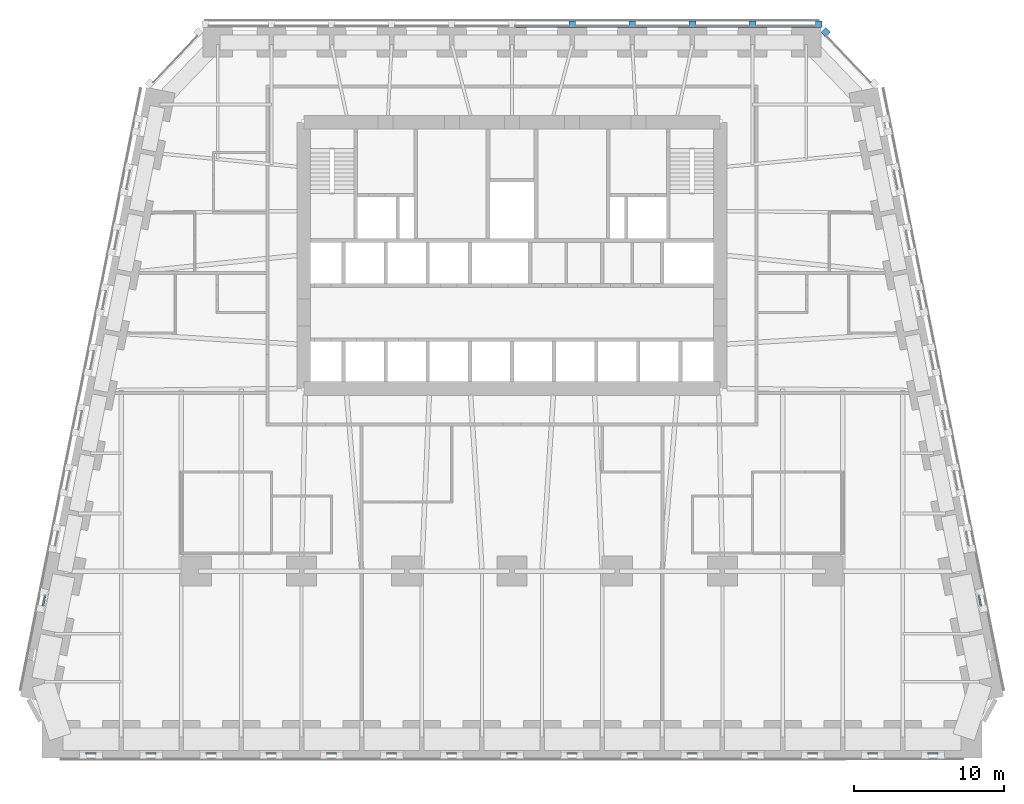
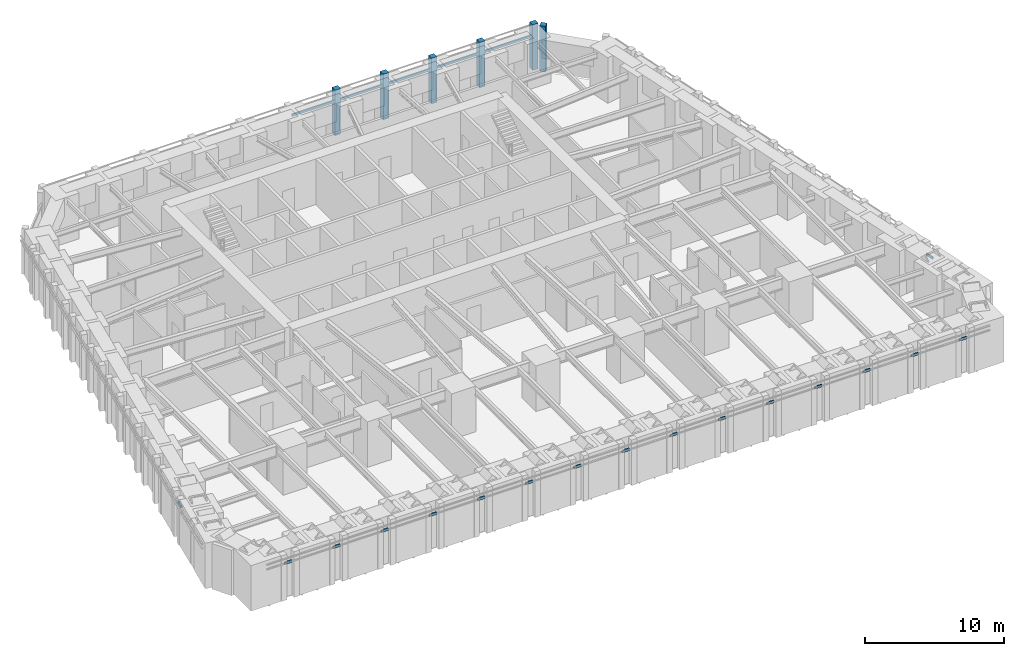
# One storey, part 5 of 16: 28 members, 19 elements without a shape of their own.
"""IFC4 building model written with IfcOpenShell, lengths in metres."""

from ifc_helpers import new_model, si_unit, direction, frame, origin, origin_2d, place, context, subcontext, project, spatial, rectangle, extrude, material, material_profile, profile_set, type_object, element, aggregate, save


model = new_model("IFC4")

# Units and contexts
model_context = context("Model", 3, precision=1e-05, world=origin(), true_north=direction((0.0, 1.0)))
body_context = subcontext(model_context, "Body", "Model", "MODEL_VIEW")
ifc_project = project(units=[si_unit("LENGTHUNIT", "METRE"), si_unit("AREAUNIT", "SQUARE_METRE"), si_unit("VOLUMEUNIT", "CUBIC_METRE"), si_unit("PLANEANGLEUNIT", "RADIAN"), si_unit("MASSUNIT", "GRAM", prefix="KILO")], contexts=[model_context])

# Site, building, storey
site_placement = place(None, origin())
site = spatial("IfcSite", under=ifc_project, at=site_placement, CompositionType="ELEMENT")
building_placement = place(site_placement, origin())
building = spatial("IfcBuilding", under=site, at=building_placement, Name="Isbrekke Arena Tower", CompositionType="ELEMENT")
storey_placement = place(building_placement, frame((0.0, 0.0, 44.0)))
storey = spatial("IfcBuildingStorey", under=building, at=storey_placement, Name="L08", CompositionType="ELEMENT", Elevation=44.0)

# Curtain wall, member
ifc_material_1 = material(Name="Glazed aluminium curtain wall", Category="aluminium")
curtain_wall_type = type_object("IfcCurtainWallType", Name="CWL TOWER CURTAIN WALL LOW ZONE", PredefinedType="USERDEFINED", material=ifc_material_1)
curtain_wall_1_placement = place(storey_placement, origin())
curtain_wall_1 = element("IfcCurtainWall", 1, at=curtain_wall_1_placement, inside=storey, type_object=curtain_wall_type, Name="CWL curtain wall L08-EN", ObjectType="TOWER CURTAIN WALL LOW ZONE", PredefinedType="USERDEFINED")
ifc_material_2 = material(Name="Aluminium mullion, pale brick slip cladding", Category="masonry")
ifc_material_profile_1 = material_profile(ifc_material_2, rectangle(XDim=0.449951171875, YDim=0.449951171875, at=origin_2d()), Name="PIER 450X450")
ifc_profile_set_1 = profile_set([ifc_material_profile_1], Name="Aluminium mullion, pale brick slip cladding")
member_type_1 = type_object("IfcMemberType", Name="CWL-M PIER MULLION 450 x 450", PredefinedType="MULLION", material=ifc_profile_set_1)
member_1_placement = place(storey_placement, frame((20.86572265625, 29.83642578125, 0.0), z_axis=(0.0, 0.0, 1.0), x_axis=(-0.68874946192, 0.72499943359, 0.0)))
member_1 = element("IfcMember", 2, at=member_1_placement, type_object=member_type_1, Name="CWL-M mullion 2", PredefinedType="MULLION", context=body_context, shape_type="SweptSolid", body=[
    extrude(rectangle(XDim=0.449951171875, YDim=0.449951171875, at=origin_2d()), origin(), (0.0, 0.0, 1.0), 4.0),
])
aggregate(curtain_wall_1, [member_1])

# Curtain wall, members
curtain_wall_2_placement = place(storey_placement, origin())
curtain_wall_2 = element("IfcCurtainWall", 3, at=curtain_wall_2_placement, inside=storey, type_object=curtain_wall_type, Name="CWL curtain wall L08-N", ObjectType="TOWER CURTAIN WALL LOW ZONE", PredefinedType="USERDEFINED")
member_2_placement = place(storey_placement, frame((20.39990234375, 30.375, 0.0), z_axis=(0.0, 0.0, 1.0), x_axis=(-1.0, 0.0, 0.0)))
member_2 = element("IfcMember", 4, at=member_2_placement, type_object=member_type_1, Name="CWL-M mullion 1", PredefinedType="MULLION", context=body_context, shape_type="SweptSolid", body=[
    extrude(rectangle(XDim=0.449951171875, YDim=0.449951171875, at=origin_2d()), origin(), (0.0, 0.0, 1.0), 4.0),
])
member_3_placement = place(storey_placement, frame((16.0, 30.375, 0.0), z_axis=(0.0, 0.0, 1.0), x_axis=(-1.0, 0.0, 0.0)))
member_3 = element("IfcMember", 5, at=member_3_placement, type_object=member_type_1, Name="CWL-M mullion 2", PredefinedType="MULLION", context=body_context, shape_type="SweptSolid", body=[
    extrude(rectangle(XDim=0.449951171875, YDim=0.449951171875, at=origin_2d()), origin(), (0.0, 0.0, 1.0), 4.0),
])
member_4_placement = place(storey_placement, frame((12.0, 30.375, 0.0), z_axis=(0.0, 0.0, 1.0), x_axis=(-1.0, 0.0, 0.0)))
member_4 = element("IfcMember", 6, at=member_4_placement, type_object=member_type_1, Name="CWL-M mullion 3", PredefinedType="MULLION", context=body_context, shape_type="SweptSolid", body=[
    extrude(rectangle(XDim=0.449951171875, YDim=0.449951171875, at=origin_2d()), origin(), (0.0, 0.0, 1.0), 4.0),
])
member_5_placement = place(storey_placement, frame((8.0, 30.375, 0.0), z_axis=(0.0, 0.0, 1.0), x_axis=(-1.0, 0.0, 0.0)))
member_5 = element("IfcMember", 7, at=member_5_placement, type_object=member_type_1, Name="CWL-M mullion 4", PredefinedType="MULLION", context=body_context, shape_type="SweptSolid", body=[
    extrude(rectangle(XDim=0.449951171875, YDim=0.449951171875, at=origin_2d()), origin(), (0.0, 0.0, 1.0), 4.0),
])
member_6_placement = place(storey_placement, frame((4.0, 30.375, 0.0), z_axis=(0.0, 0.0, 1.0), x_axis=(-1.0, 0.0, 0.0)))
member_6 = element("IfcMember", 8, at=member_6_placement, type_object=member_type_1, Name="CWL-M mullion 5", PredefinedType="MULLION", context=body_context, shape_type="SweptSolid", body=[
    extrude(rectangle(XDim=0.449951171875, YDim=0.449951171875, at=origin_2d()), origin(), (0.0, 0.0, 1.0), 4.0),
])

# Curtain wall, member
curtain_wall_3_placement = place(storey_placement, origin())
curtain_wall_3 = element("IfcCurtainWall", 9, at=curtain_wall_3_placement, inside=storey, type_object=curtain_wall_type, Name="CWL curtain wall L08-S", ObjectType="TOWER CURTAIN WALL LOW ZONE", PredefinedType="USERDEFINED")
ifc_material_3 = material(Name="Aluminium transom", Category="aluminium")
ifc_material_profile_2 = material_profile(ifc_material_3, rectangle(XDim=0.1201171875, YDim=0.199951171875, at=origin_2d()), Name="TRANSOM 120X200")
ifc_profile_set_2 = profile_set([ifc_material_profile_2], Name="Aluminium transom")
member_type_2 = type_object("IfcMemberType", Name="CWL-T TRANSOM 120 x 200", PredefinedType="USERDEFINED", material=ifc_profile_set_2)
member_7_placement = place(storey_placement, frame((-28.302001953125, -18.125, 3.0), z_axis=(1.0, 0.0, 0.0), x_axis=(0.0, 1.0, 0.0)))
member_7 = element("IfcMember", 10, at=member_7_placement, type_object=member_type_2, Name="CWL-T transom 1", ObjectType="TRANSOM", PredefinedType="USERDEFINED", context=body_context, shape_type="SweptSolid", body=[
    extrude(rectangle(XDim=0.1201171875, YDim=0.199951171875, at=origin_2d()), origin(), (0.0, 0.0, 1.0), 0.60205078125),
])
aggregate(curtain_wall_3, [member_7])

curtain_wall_4_placement = place(storey_placement, origin())
curtain_wall_4 = element("IfcCurtainWall", 11, at=curtain_wall_4_placement, inside=storey, type_object=curtain_wall_type, Name="CWL curtain wall L08-S3", ObjectType="TOWER CURTAIN WALL LOW ZONE", PredefinedType="USERDEFINED")
member_8_placement = place(storey_placement, frame((-24.300048828125, -18.125, 3.0), z_axis=(1.0, 0.0, 0.0), x_axis=(0.0, 1.0, 0.0)))
member_8 = element("IfcMember", 12, at=member_8_placement, type_object=member_type_2, Name="CWL-T transom 1", ObjectType="TRANSOM", PredefinedType="USERDEFINED", context=body_context, shape_type="SweptSolid", body=[
    extrude(rectangle(XDim=0.1201171875, YDim=0.199951171875, at=origin_2d()), origin(), (0.0, 0.0, 1.0), 0.60009765625),
])
aggregate(curtain_wall_4, [member_8])

curtain_wall_5_placement = place(storey_placement, origin())
curtain_wall_5 = element("IfcCurtainWall", 13, at=curtain_wall_5_placement, inside=storey, type_object=curtain_wall_type, Name="CWL curtain wall L08-S5", ObjectType="TOWER CURTAIN WALL LOW ZONE", PredefinedType="USERDEFINED")
member_9_placement = place(storey_placement, frame((-20.300048828125, -18.125, 3.0), z_axis=(1.0, 0.0, 0.0), x_axis=(0.0, 1.0, 0.0)))
member_9 = element("IfcMember", 14, at=member_9_placement, type_object=member_type_2, Name="CWL-T transom 1", ObjectType="TRANSOM", PredefinedType="USERDEFINED", context=body_context, shape_type="SweptSolid", body=[
    extrude(rectangle(XDim=0.1201171875, YDim=0.199951171875, at=origin_2d()), origin(), (0.0, 0.0, 1.0), 0.60009765625),
])
aggregate(curtain_wall_5, [member_9])

curtain_wall_6_placement = place(storey_placement, origin())
curtain_wall_6 = element("IfcCurtainWall", 15, at=curtain_wall_6_placement, inside=storey, type_object=curtain_wall_type, Name="CWL curtain wall L08-S7", ObjectType="TOWER CURTAIN WALL LOW ZONE", PredefinedType="USERDEFINED")
member_10_placement = place(storey_placement, frame((-16.300048828125, -18.125, 3.0), z_axis=(1.0, 0.0, 0.0), x_axis=(0.0, 1.0, 0.0)))
member_10 = element("IfcMember", 16, at=member_10_placement, type_object=member_type_2, Name="CWL-T transom 1", ObjectType="TRANSOM", PredefinedType="USERDEFINED", context=body_context, shape_type="SweptSolid", body=[
    extrude(rectangle(XDim=0.1201171875, YDim=0.199951171875, at=origin_2d()), origin(), (0.0, 0.0, 1.0), 0.60009765625),
])
aggregate(curtain_wall_6, [member_10])

curtain_wall_7_placement = place(storey_placement, origin())
curtain_wall_7 = element("IfcCurtainWall", 17, at=curtain_wall_7_placement, inside=storey, type_object=curtain_wall_type, Name="CWL curtain wall L08-S9", ObjectType="TOWER CURTAIN WALL LOW ZONE", PredefinedType="USERDEFINED")
member_11_placement = place(storey_placement, frame((-12.300048828125, -18.125, 3.0), z_axis=(1.0, 0.0, 0.0), x_axis=(0.0, 1.0, 0.0)))
member_11 = element("IfcMember", 18, at=member_11_placement, type_object=member_type_2, Name="CWL-T transom 1", ObjectType="TRANSOM", PredefinedType="USERDEFINED", context=body_context, shape_type="SweptSolid", body=[
    extrude(rectangle(XDim=0.1201171875, YDim=0.199951171875, at=origin_2d()), origin(), (0.0, 0.0, 1.0), 0.60009765625),
])
aggregate(curtain_wall_7, [member_11])

curtain_wall_8_placement = place(storey_placement, origin())
curtain_wall_8 = element("IfcCurtainWall", 19, at=curtain_wall_8_placement, inside=storey, type_object=curtain_wall_type, Name="CWL curtain wall L08-S11", ObjectType="TOWER CURTAIN WALL LOW ZONE", PredefinedType="USERDEFINED")
member_12_placement = place(storey_placement, frame((-8.300048828125, -18.125, 3.0), z_axis=(1.0, 0.0, 0.0), x_axis=(0.0, 1.0, 0.0)))
member_12 = element("IfcMember", 20, at=member_12_placement, type_object=member_type_2, Name="CWL-T transom 1", ObjectType="TRANSOM", PredefinedType="USERDEFINED", context=body_context, shape_type="SweptSolid", body=[
    extrude(rectangle(XDim=0.1201171875, YDim=0.199951171875, at=origin_2d()), origin(), (0.0, 0.0, 1.0), 0.60009765625),
])
aggregate(curtain_wall_8, [member_12])

curtain_wall_9_placement = place(storey_placement, origin())
curtain_wall_9 = element("IfcCurtainWall", 21, at=curtain_wall_9_placement, inside=storey, type_object=curtain_wall_type, Name="CWL curtain wall L08-S13", ObjectType="TOWER CURTAIN WALL LOW ZONE", PredefinedType="USERDEFINED")
member_13_placement = place(storey_placement, frame((-4.300048828125, -18.125, 3.0), z_axis=(1.0, 0.0, 0.0), x_axis=(0.0, 1.0, 0.0)))
member_13 = element("IfcMember", 22, at=member_13_placement, type_object=member_type_2, Name="CWL-T transom 1", ObjectType="TRANSOM", PredefinedType="USERDEFINED", context=body_context, shape_type="SweptSolid", body=[
    extrude(rectangle(XDim=0.1201171875, YDim=0.199951171875, at=origin_2d()), origin(), (0.0, 0.0, 1.0), 0.60009765625),
])
aggregate(curtain_wall_9, [member_13])

curtain_wall_10_placement = place(storey_placement, origin())
curtain_wall_10 = element("IfcCurtainWall", 23, at=curtain_wall_10_placement, inside=storey, type_object=curtain_wall_type, Name="CWL curtain wall L08-S15", ObjectType="TOWER CURTAIN WALL LOW ZONE", PredefinedType="USERDEFINED")
member_14_placement = place(storey_placement, frame((-0.300048828125, -18.125, 3.0), z_axis=(1.0, 0.0, 0.0), x_axis=(0.0, 1.0, 0.0)))
member_14 = element("IfcMember", 24, at=member_14_placement, type_object=member_type_2, Name="CWL-T transom 1", ObjectType="TRANSOM", PredefinedType="USERDEFINED", context=body_context, shape_type="SweptSolid", body=[
    extrude(rectangle(XDim=0.1201171875, YDim=0.199951171875, at=origin_2d()), origin(), (0.0, 0.0, 1.0), 0.60009765625),
])
aggregate(curtain_wall_10, [member_14])

curtain_wall_11_placement = place(storey_placement, origin())
curtain_wall_11 = element("IfcCurtainWall", 25, at=curtain_wall_11_placement, inside=storey, type_object=curtain_wall_type, Name="CWL curtain wall L08-S17", ObjectType="TOWER CURTAIN WALL LOW ZONE", PredefinedType="USERDEFINED")
member_15_placement = place(storey_placement, frame((3.699951171875, -18.125, 3.0), z_axis=(1.0, 0.0, 0.0), x_axis=(0.0, 1.0, 0.0)))
member_15 = element("IfcMember", 26, at=member_15_placement, type_object=member_type_2, Name="CWL-T transom 1", ObjectType="TRANSOM", PredefinedType="USERDEFINED", context=body_context, shape_type="SweptSolid", body=[
    extrude(rectangle(XDim=0.1201171875, YDim=0.199951171875, at=origin_2d()), origin(), (0.0, 0.0, 1.0), 0.60009765625),
])
aggregate(curtain_wall_11, [member_15])

curtain_wall_12_placement = place(storey_placement, origin())
curtain_wall_12 = element("IfcCurtainWall", 27, at=curtain_wall_12_placement, inside=storey, type_object=curtain_wall_type, Name="CWL curtain wall L08-S19", ObjectType="TOWER CURTAIN WALL LOW ZONE", PredefinedType="USERDEFINED")
member_16_placement = place(storey_placement, frame((7.699951171875, -18.125, 3.0), z_axis=(1.0, 0.0, 0.0), x_axis=(0.0, 1.0, 0.0)))
member_16 = element("IfcMember", 28, at=member_16_placement, type_object=member_type_2, Name="CWL-T transom 1", ObjectType="TRANSOM", PredefinedType="USERDEFINED", context=body_context, shape_type="SweptSolid", body=[
    extrude(rectangle(XDim=0.1201171875, YDim=0.199951171875, at=origin_2d()), origin(), (0.0, 0.0, 1.0), 0.60009765625),
])
aggregate(curtain_wall_12, [member_16])

curtain_wall_13_placement = place(storey_placement, origin())
curtain_wall_13 = element("IfcCurtainWall", 29, at=curtain_wall_13_placement, inside=storey, type_object=curtain_wall_type, Name="CWL curtain wall L08-S21", ObjectType="TOWER CURTAIN WALL LOW ZONE", PredefinedType="USERDEFINED")
member_17_placement = place(storey_placement, frame((11.699951171875, -18.125, 3.0), z_axis=(1.0, 0.0, 0.0), x_axis=(0.0, 1.0, 0.0)))
member_17 = element("IfcMember", 30, at=member_17_placement, type_object=member_type_2, Name="CWL-T transom 1", ObjectType="TRANSOM", PredefinedType="USERDEFINED", context=body_context, shape_type="SweptSolid", body=[
    extrude(rectangle(XDim=0.1201171875, YDim=0.199951171875, at=origin_2d()), origin(), (0.0, 0.0, 1.0), 0.60009765625),
])
aggregate(curtain_wall_13, [member_17])

curtain_wall_14_placement = place(storey_placement, origin())
curtain_wall_14 = element("IfcCurtainWall", 31, at=curtain_wall_14_placement, inside=storey, type_object=curtain_wall_type, Name="CWL curtain wall L08-S23", ObjectType="TOWER CURTAIN WALL LOW ZONE", PredefinedType="USERDEFINED")
member_18_placement = place(storey_placement, frame((15.699951171875, -18.125, 3.0), z_axis=(1.0, 0.0, 0.0), x_axis=(0.0, 1.0, 0.0)))
member_18 = element("IfcMember", 32, at=member_18_placement, type_object=member_type_2, Name="CWL-T transom 1", ObjectType="TRANSOM", PredefinedType="USERDEFINED", context=body_context, shape_type="SweptSolid", body=[
    extrude(rectangle(XDim=0.1201171875, YDim=0.199951171875, at=origin_2d()), origin(), (0.0, 0.0, 1.0), 0.60009765625),
])
aggregate(curtain_wall_14, [member_18])

curtain_wall_15_placement = place(storey_placement, origin())
curtain_wall_15 = element("IfcCurtainWall", 33, at=curtain_wall_15_placement, inside=storey, type_object=curtain_wall_type, Name="CWL curtain wall L08-S25", ObjectType="TOWER CURTAIN WALL LOW ZONE", PredefinedType="USERDEFINED")
member_19_placement = place(storey_placement, frame((19.699951171875, -18.125, 3.0), z_axis=(1.0, 0.0, 0.0), x_axis=(0.0, 1.0, 0.0)))
member_19 = element("IfcMember", 34, at=member_19_placement, type_object=member_type_2, Name="CWL-T transom 1", ObjectType="TRANSOM", PredefinedType="USERDEFINED", context=body_context, shape_type="SweptSolid", body=[
    extrude(rectangle(XDim=0.1201171875, YDim=0.199951171875, at=origin_2d()), origin(), (0.0, 0.0, 1.0), 0.60009765625),
])
aggregate(curtain_wall_15, [member_19])

curtain_wall_16_placement = place(storey_placement, origin())
curtain_wall_16 = element("IfcCurtainWall", 35, at=curtain_wall_16_placement, inside=storey, type_object=curtain_wall_type, Name="CWL curtain wall L08-S27", ObjectType="TOWER CURTAIN WALL LOW ZONE", PredefinedType="USERDEFINED")
member_20_placement = place(storey_placement, frame((23.699951171875, -18.125, 3.0), z_axis=(1.0, 0.0, 0.0), x_axis=(0.0, 1.0, 0.0)))
member_20 = element("IfcMember", 36, at=member_20_placement, type_object=member_type_2, Name="CWL-T transom 1", ObjectType="TRANSOM", PredefinedType="USERDEFINED", context=body_context, shape_type="SweptSolid", body=[
    extrude(rectangle(XDim=0.1201171875, YDim=0.199951171875, at=origin_2d()), origin(), (0.0, 0.0, 1.0), 0.60009765625),
])
aggregate(curtain_wall_16, [member_20])

curtain_wall_17_placement = place(storey_placement, origin())
curtain_wall_17 = element("IfcCurtainWall", 37, at=curtain_wall_17_placement, inside=storey, type_object=curtain_wall_type, Name="CWL curtain wall L08-S29", ObjectType="TOWER CURTAIN WALL LOW ZONE", PredefinedType="USERDEFINED")
member_21_placement = place(storey_placement, frame((27.699951171875, -18.125, 3.0), z_axis=(1.0, 0.0, 0.0), x_axis=(0.0, 1.0, 0.0)))
member_21 = element("IfcMember", 38, at=member_21_placement, type_object=member_type_2, Name="CWL-T transom 1", ObjectType="TRANSOM", PredefinedType="USERDEFINED", context=body_context, shape_type="SweptSolid", body=[
    extrude(rectangle(XDim=0.1201171875, YDim=0.199951171875, at=origin_2d()), origin(), (0.0, 0.0, 1.0), 0.60205078125),
])
aggregate(curtain_wall_17, [member_21])

curtain_wall_18_placement = place(storey_placement, origin())
curtain_wall_18 = element("IfcCurtainWall", 39, at=curtain_wall_18_placement, inside=storey, type_object=curtain_wall_type, Name="CWL curtain wall L08-E3", ObjectType="TOWER CURTAIN WALL LOW ZONE", PredefinedType="USERDEFINED")
member_22_placement = place(storey_placement, frame((31.189208984375, -8.30859375, 3.0), z_axis=(-0.196254379441, 0.980553016695, 0.0), x_axis=(-0.980553016695, -0.196254379441, 0.0)))
member_22 = element("IfcMember", 40, at=member_22_placement, type_object=member_type_2, Name="CWL-T transom 1", ObjectType="TRANSOM", PredefinedType="USERDEFINED", context=body_context, shape_type="SweptSolid", body=[
    extrude(rectangle(XDim=0.1201171875, YDim=0.199951171875, at=origin_2d()), origin(), (0.0, 0.0, 1.0), 0.67919921875),
])
aggregate(curtain_wall_18, [member_22])

# Member
member_23_placement = place(storey_placement, frame((20.175048828125, 30.25, 3.0), z_axis=(-1.0, 0.0, 0.0), x_axis=(0.0, -1.0, 0.0)))
member_23 = element("IfcMember", 41, at=member_23_placement, type_object=member_type_2, Name="CWL-T transom 1", ObjectType="TRANSOM", PredefinedType="USERDEFINED", context=body_context, shape_type="SweptSolid", body=[
    extrude(rectangle(XDim=0.1201171875, YDim=0.199951171875, at=origin_2d()), origin(), (0.0, 0.0, 1.0), 3.949951171875),
])

member_24_placement = place(storey_placement, frame((15.77490234375, 30.25, 3.0), z_axis=(-1.0, 0.0, 0.0), x_axis=(0.0, -1.0, 0.0)))
member_24 = element("IfcMember", 42, at=member_24_placement, type_object=member_type_2, Name="CWL-T transom 2", ObjectType="TRANSOM", PredefinedType="USERDEFINED", context=body_context, shape_type="SweptSolid", body=[
    extrude(rectangle(XDim=0.1201171875, YDim=0.199951171875, at=origin_2d()), origin(), (0.0, 0.0, 1.0), 3.5498046875),
])

member_25_placement = place(storey_placement, frame((11.77490234375, 30.25, 3.0), z_axis=(-1.0, 0.0, 0.0), x_axis=(0.0, -1.0, 0.0)))
member_25 = element("IfcMember", 43, at=member_25_placement, type_object=member_type_2, Name="CWL-T transom 3", ObjectType="TRANSOM", PredefinedType="USERDEFINED", context=body_context, shape_type="SweptSolid", body=[
    extrude(rectangle(XDim=0.1201171875, YDim=0.199951171875, at=origin_2d()), origin(), (0.0, 0.0, 1.0), 3.5498046875),
])

member_26_placement = place(storey_placement, frame((7.77490234375, 30.25, 3.0), z_axis=(-1.0, 0.0, 0.0), x_axis=(0.0, -1.0, 0.0)))
member_26 = element("IfcMember", 44, at=member_26_placement, type_object=member_type_2, Name="CWL-T transom 4", ObjectType="TRANSOM", PredefinedType="USERDEFINED", context=body_context, shape_type="SweptSolid", body=[
    extrude(rectangle(XDim=0.1201171875, YDim=0.199951171875, at=origin_2d()), origin(), (0.0, 0.0, 1.0), 3.5498046875),
])

member_27_placement = place(storey_placement, frame((3.77490234375, 30.25, 3.0), z_axis=(-1.0, 0.0, 0.0), x_axis=(0.0, -1.0, 0.0)))
member_27 = element("IfcMember", 45, at=member_27_placement, type_object=member_type_2, Name="CWL-T transom 5", ObjectType="TRANSOM", PredefinedType="USERDEFINED", context=body_context, shape_type="SweptSolid", body=[
    extrude(rectangle(XDim=0.1201171875, YDim=0.199951171875, at=origin_2d()), origin(), (0.0, 0.0, 1.0), 3.5498046875),
])

aggregate(curtain_wall_2, [member_2, member_3, member_4, member_5, member_6, member_23, member_24, member_25, member_26, member_27])

# Curtain wall, member
curtain_wall_19_placement = place(storey_placement, origin())
curtain_wall_19 = element("IfcCurtainWall", 46, at=curtain_wall_19_placement, inside=storey, type_object=curtain_wall_type, Name="CWL curtain wall L08-W17", ObjectType="TOWER CURTAIN WALL LOW ZONE", PredefinedType="USERDEFINED")
member_28_placement = place(storey_placement, frame((-31.055908203125, -7.642578125, 3.0), z_axis=(-0.196254379441, -0.980553016695, 0.0), x_axis=(0.980553016695, -0.196254379441, 0.0)))
member_28 = element("IfcMember", 47, at=member_28_placement, type_object=member_type_2, Name="CWL-T transom 1", ObjectType="TRANSOM", PredefinedType="USERDEFINED", context=body_context, shape_type="SweptSolid", body=[
    extrude(rectangle(XDim=0.1201171875, YDim=0.199951171875, at=origin_2d()), origin(), (0.0, 0.0, 1.0), 0.67919921875),
])
aggregate(curtain_wall_19, [member_28])

save(model, "model.ifc")
